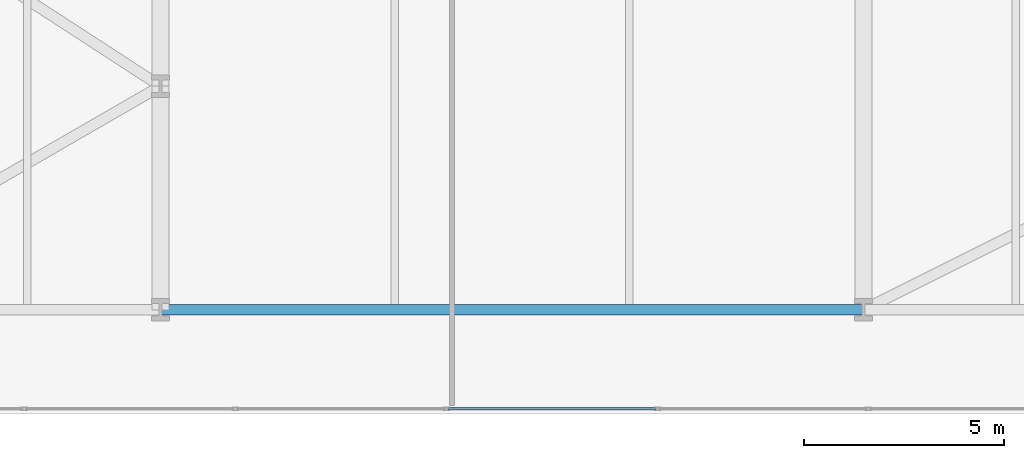
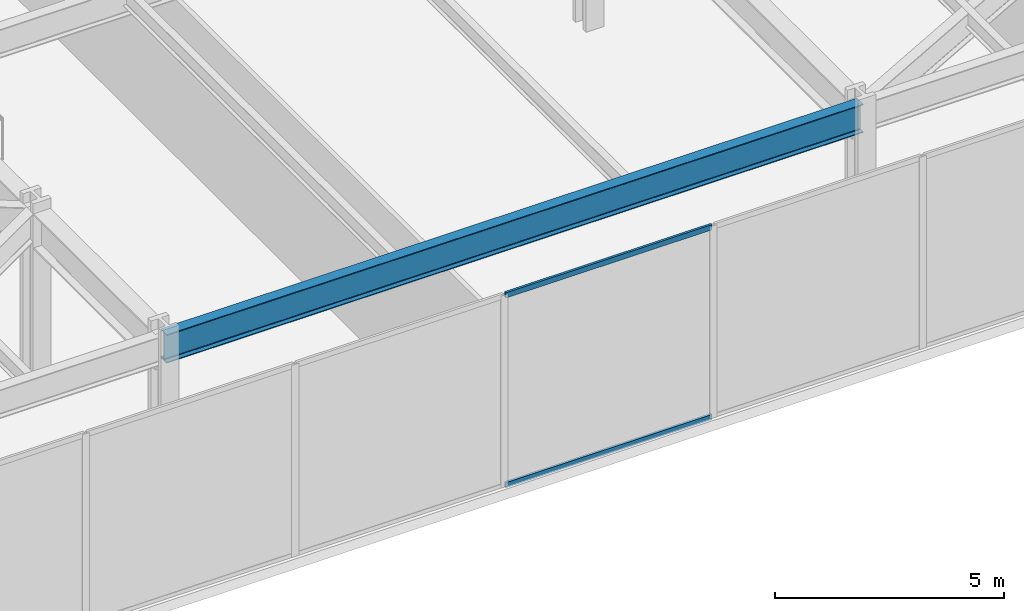
# One storey, part 13 of 29: 2 members, 1 beam, 1 element without a shape of its own.
"""IFC4 building model written with IfcOpenShell, lengths in metres."""

from ifc_helpers import new_model, si_unit, direction, frame, origin, origin_2d, place, context, subcontext, project, spatial, hollow_rectangle, i_section, extrude, material, layer, layer_set, material_profile, profile_set, type_object, element, aggregate, save


model = new_model("IFC4")

# Units and contexts
model_context = context("Model", 3, precision=1e-05, world=origin(), true_north=direction((0.0, 1.0)))
body_context = subcontext(model_context, "Body", "Model", "MODEL_VIEW")
ifc_project = project(units=[si_unit("LENGTHUNIT", "METRE"), si_unit("AREAUNIT", "SQUARE_METRE"), si_unit("VOLUMEUNIT", "CUBIC_METRE"), si_unit("PLANEANGLEUNIT", "RADIAN"), si_unit("MASSUNIT", "GRAM", prefix="KILO")], contexts=[model_context])

# Site, building, storey
site_placement = place(None, origin())
site = spatial("IfcSite", under=ifc_project, at=site_placement, CompositionType="ELEMENT")
building_placement = place(site_placement, origin())
building = spatial("IfcBuilding", under=site, at=building_placement, Name="Kravanh Interchange Tower", CompositionType="ELEMENT")
storey_placement = place(building_placement, frame((0.0, 0.0, 5.39990234375)))
storey = spatial("IfcBuildingStorey", under=building, at=storey_placement, Name="L01", CompositionType="ELEMENT", Elevation=5.39990234375)

# Curtain wall, members
ifc_material_1 = material(Name="Anodised Bronze Aluminium", Category="aluminium")
ifc_layer = layer(ifc_material_1, 0.179931640625)
ifc_layer_set = layer_set([ifc_layer], Name="Unitised Curtain Wall System CW-POD Podium Concourse")
curtain_wall_type = type_object("IfcCurtainWallType", Name="Unitised Curtain Wall System CW-POD Podium Concourse", PredefinedType="NOTDEFINED", material=ifc_layer_set)
curtain_wall_placement = place(storey_placement, origin())
curtain_wall = element("IfcCurtainWall", 1, at=curtain_wall_placement, inside=storey, type_object=curtain_wall_type, Name="L01 Unitised Curtain Wall CW-L01-04", PredefinedType="NOTDEFINED")
ifc_material_2 = material(Name="Anodised Bronze Aluminium", Category="aluminium")
ifc_material_profile_1 = material_profile(ifc_material_2, hollow_rectangle(XDim=0.06005859375, YDim=0.139892578125, WallThickness=0.00390625, at=origin_2d()), Name="ALU60X140X4")
ifc_profile_set_1 = profile_set([ifc_material_profile_1], Name="Anodised Bronze Aluminium")
member_type = type_object("IfcMemberType", Name="Curtain Wall Transom ALU60X140X4 Bronze", PredefinedType="USERDEFINED", material=ifc_profile_set_1)
member_1_placement = place(storey_placement, frame((39.607421875, 0.1201171875, 0.030029296875), z_axis=(-1.0, 0.0, 0.0), x_axis=(0.0, -1.0, 0.0)))
member_1 = element("IfcMember", 2, at=member_1_placement, type_object=member_type, Name="CW-POD transom 7.1", ObjectType="TRANSOM", PredefinedType="USERDEFINED", context=body_context, shape_type="SweptSolid", body=[
    extrude(hollow_rectangle(XDim=0.06005859375, YDim=0.139892578125, WallThickness=0.00390625, at=origin_2d()), origin(), (0.0, 0.0, 1.0), 5.21484375),
])
member_2_placement = place(storey_placement, frame((39.607421875, 0.1201171875, 5.10009765625), z_axis=(-1.0, 0.0, 0.0), x_axis=(0.0, -1.0, 0.0)))
member_2 = element("IfcMember", 3, at=member_2_placement, type_object=member_type, Name="CW-POD transom 7.2", ObjectType="TRANSOM", PredefinedType="USERDEFINED", context=body_context, shape_type="SweptSolid", body=[
    extrude(hollow_rectangle(XDim=0.06005859375, YDim=0.139892578125, WallThickness=0.00390625, at=origin_2d()), origin(), (0.0, 0.0, 1.0), 5.21484375),
])
aggregate(curtain_wall, [member_1, member_2])

# Beam
ifc_material_3 = material(Name="Structural Steel S355", Category="steel")
ifc_material_profile_2 = material_profile(ifc_material_3, i_section(OverallWidth=0.26708984375, OverallDepth=0.761962890625, WebThickness=0.014404296875, FlangeThickness=0.021484375, FilletRadius=0.02490234375, at=origin_2d()), Name="W30X116")
ifc_profile_set_2 = profile_set([ifc_material_profile_2], Name="Structural Steel S355")
beam_type = type_object("IfcBeamType", Name="Floor Spandrel W30X116 Structural Steel S355", PredefinedType="SPANDREL", material=ifc_profile_set_2)
beam_placement = place(storey_placement, frame((27.199951171875, 2.60009765625, 4.7490234375), z_axis=(1.0, 0.0, 0.0), x_axis=(0.0, 1.0, 0.0)))
element("IfcBeam", 4, at=beam_placement, inside=storey, type_object=beam_type, Name="L01 Perimeter Spandrel 9", PredefinedType="SPANDREL", context=body_context, shape_type="SweptSolid", body=[
    extrude(i_section(OverallWidth=0.26708984375, OverallDepth=0.761962890625, WebThickness=0.014404296875, FlangeThickness=0.021484375, FilletRadius=0.02490234375, at=origin_2d()), origin(), (0.0, 0.0, 1.0), 17.60009765625),
])

save(model, "model.ifc")
